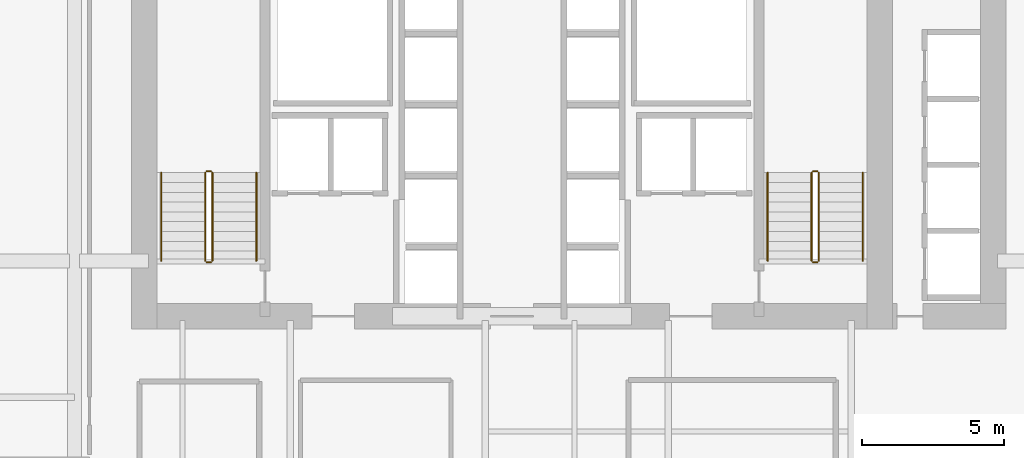
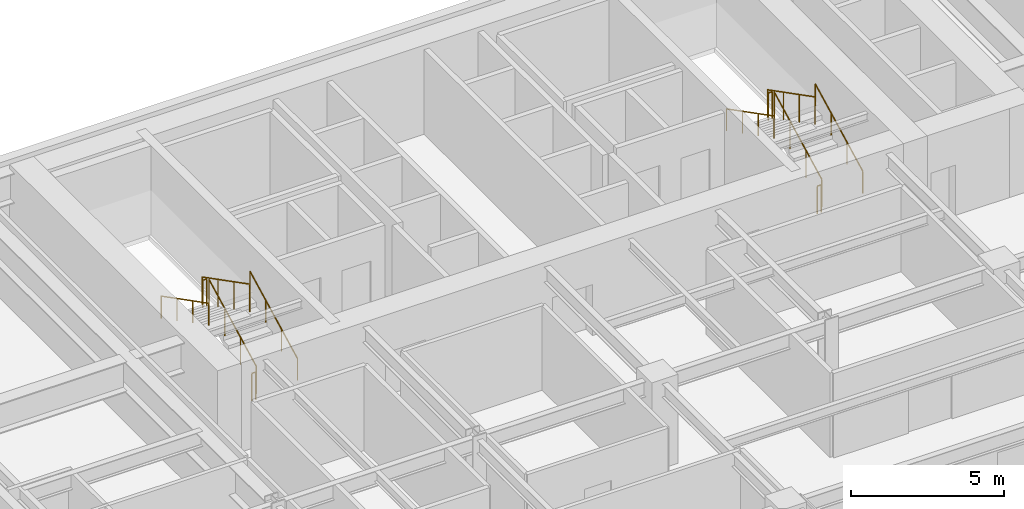
# One storey, part 17 of 17: 12 railings.
"""IFC4 building model written with IfcOpenShell, lengths in metres."""

from ifc_helpers import new_model, si_unit, direction, frame, origin, origin_2d, place, context, subcontext, project, spatial, circle, extrude, material, type_object, element, save


model = new_model("IFC4")

# Units and contexts
model_context = context("Model", 3, precision=1e-05, world=origin(), true_north=direction((0.0, 1.0)))
body_context = subcontext(model_context, "Body", "Model", "MODEL_VIEW")
ifc_project = project(units=[si_unit("LENGTHUNIT", "METRE"), si_unit("AREAUNIT", "SQUARE_METRE"), si_unit("VOLUMEUNIT", "CUBIC_METRE"), si_unit("PLANEANGLEUNIT", "RADIAN"), si_unit("MASSUNIT", "GRAM", prefix="KILO")], contexts=[model_context])

# Site, building, storey
site_placement = place(None, origin())
site = spatial("IfcSite", under=ifc_project, at=site_placement, CompositionType="ELEMENT")
building_placement = place(site_placement, origin())
building = spatial("IfcBuilding", under=site, at=building_placement, Name="Tolvann Quenvar Hotel", CompositionType="ELEMENT")
storey_placement = place(building_placement, frame((0.0, 0.0, 42.64990234375)))
storey = spatial("IfcBuildingStorey", under=building, at=storey_placement, Name="L09", CompositionType="ELEMENT", Elevation=42.64990234375)

# Railings
ifc_material = material(Name="Brushed 316 stainless steel balustrade and handrail", Category="steel")
railing_type_1 = type_object("IfcRailingType", Name="GUARDRAIL", PredefinedType="GUARDRAIL", material=ifc_material)
railing_1_placement = place(storey_placement, frame((12.449951171875, 34.0, 0.177490234375)))
element("IfcRailing", 1, at=railing_1_placement, inside=storey, type_object=railing_type_1, Name="L09 ST-C1 stair guard 1", PredefinedType="GUARDRAIL", context=body_context, shape_type="SweptSolid", body=[
    extrude(circle(Radius=0.02392578125, at=origin_2d()), frame((0.0, 0.0, 1.09619140625), z_axis=(0.0, 0.88919353882, 0.457531256332), x_axis=(-1.0, 0.0, 0.0)), (0.0, 0.0, 1.0), 3.491943359375),
    extrude(circle(Radius=0.02099609375, at=origin_2d()), origin(), (0.0, 0.0, 1.0), 1.072021484375),
    extrude(circle(Radius=0.02099609375, at=origin_2d()), frame((0.0, 1.034912109375, 0.532470703125)), (0.0, 0.0, 1.0), 1.072021484375),
    extrude(circle(Radius=0.02099609375, at=origin_2d()), frame((0.0, 2.070068359375, 1.065185546875)), (0.0, 0.0, 1.0), 1.072021484375),
    extrude(circle(Radius=0.02099609375, at=origin_2d()), frame((0.0, 3.10498046875, 1.59765625)), (0.0, 0.0, 1.0), 1.072021484375),
])
railing_2_placement = place(storey_placement, frame((12.39990234375, 37.155029296875, 1.775146484375)))
element("IfcRailing", 2, at=railing_2_placement, inside=storey, type_object=railing_type_1, Name="L09 ST-C1 stair guard 2", PredefinedType="GUARDRAIL", context=body_context, shape_type="SweptSolid", body=[
    extrude(circle(Radius=0.02392578125, at=origin_2d()), frame((0.0, 0.0, 1.09619140625), z_axis=(-1.0, 0.0, 0.0), x_axis=(0.0, -1.0, 0.0)), (0.0, 0.0, 1.0), 0.14990234375),
    extrude(circle(Radius=0.02099609375, at=origin_2d()), origin(), (0.0, 0.0, 1.0), 1.072021484375),
    extrude(circle(Radius=0.02099609375, at=origin_2d()), frame((-0.14990234375, 0.0, 0.0)), (0.0, 0.0, 1.0), 1.072021484375),
])
railing_3_placement = place(storey_placement, frame((12.199951171875, 37.10498046875, 1.95263671875)))
element("IfcRailing", 3, at=railing_3_placement, inside=storey, type_object=railing_type_1, Name="L09 ST-C1 stair guard 3", PredefinedType="GUARDRAIL", context=body_context, shape_type="SweptSolid", body=[
    extrude(circle(Radius=0.02392578125, at=origin_2d()), frame((0.0, 0.0, 1.09619140625), z_axis=(0.0, -0.889221982265, 0.45747597342), x_axis=(1.0, 0.0, 0.0)), (0.0, 0.0, 1.0), 3.49169921875),
    extrude(circle(Radius=0.02099609375, at=origin_2d()), origin(), (0.0, 0.0, 1.0), 1.072021484375),
    extrude(circle(Radius=0.02099609375, at=origin_2d()), frame((0.0, -1.034912109375, 0.532470703125)), (0.0, 0.0, 1.0), 1.072021484375),
    extrude(circle(Radius=0.02099609375, at=origin_2d()), frame((0.0, -2.070068359375, 1.06494140625)), (0.0, 0.0, 1.0), 1.072021484375),
    extrude(circle(Radius=0.02099609375, at=origin_2d()), frame((0.0, -3.10498046875, 1.597412109375)), (0.0, 0.0, 1.0), 1.072021484375),
])
railing_4_placement = place(storey_placement, frame((12.39990234375, 33.949951171875, 0.0)))
element("IfcRailing", 4, at=railing_4_placement, inside=storey, type_object=railing_type_1, Name="L09 ST-C1 stair guard 4", PredefinedType="GUARDRAIL", context=body_context, shape_type="SweptSolid", body=[
    extrude(circle(Radius=0.02392578125, at=origin_2d()), frame((0.0, 0.0, 1.09619140625), z_axis=(-1.0, 0.0, 0.0), x_axis=(0.0, -1.0, 0.0)), (0.0, 0.0, 1.0), 0.14990234375),
    extrude(circle(Radius=0.02099609375, at=origin_2d()), origin(), (0.0, 0.0, 1.0), 1.072021484375),
    extrude(circle(Radius=0.02099609375, at=origin_2d()), frame((-0.14990234375, 0.0, 0.0)), (0.0, 0.0, 1.0), 1.072021484375),
])
railing_5_placement = place(storey_placement, frame((33.800048828125, 34.0, 0.177490234375)))
element("IfcRailing", 5, at=railing_5_placement, inside=storey, type_object=railing_type_1, Name="L09 ST-C2 stair guard 1", PredefinedType="GUARDRAIL", context=body_context, shape_type="SweptSolid", body=[
    extrude(circle(Radius=0.02392578125, at=origin_2d()), frame((0.0, 0.0, 1.09619140625), z_axis=(0.0, 0.88919353882, 0.457531256332), x_axis=(-1.0, 0.0, 0.0)), (0.0, 0.0, 1.0), 3.491943359375),
    extrude(circle(Radius=0.02099609375, at=origin_2d()), origin(), (0.0, 0.0, 1.0), 1.072021484375),
    extrude(circle(Radius=0.02099609375, at=origin_2d()), frame((0.0, 1.034912109375, 0.532470703125)), (0.0, 0.0, 1.0), 1.072021484375),
    extrude(circle(Radius=0.02099609375, at=origin_2d()), frame((0.0, 2.070068359375, 1.065185546875)), (0.0, 0.0, 1.0), 1.072021484375),
    extrude(circle(Radius=0.02099609375, at=origin_2d()), frame((0.0, 3.10498046875, 1.59765625)), (0.0, 0.0, 1.0), 1.072021484375),
])
railing_6_placement = place(storey_placement, frame((33.75, 37.155029296875, 1.775146484375)))
element("IfcRailing", 6, at=railing_6_placement, inside=storey, type_object=railing_type_1, Name="L09 ST-C2 stair guard 2", PredefinedType="GUARDRAIL", context=body_context, shape_type="SweptSolid", body=[
    extrude(circle(Radius=0.02392578125, at=origin_2d()), frame((0.0, 0.0, 1.09619140625), z_axis=(-1.0, 0.0, 0.0), x_axis=(0.0, -1.0, 0.0)), (0.0, 0.0, 1.0), 0.14990234375),
    extrude(circle(Radius=0.02099609375, at=origin_2d()), origin(), (0.0, 0.0, 1.0), 1.072021484375),
    extrude(circle(Radius=0.02099609375, at=origin_2d()), frame((-0.14990234375, 0.0, 0.0)), (0.0, 0.0, 1.0), 1.072021484375),
])
railing_7_placement = place(storey_placement, frame((33.550048828125, 37.10498046875, 1.95263671875)))
element("IfcRailing", 7, at=railing_7_placement, inside=storey, type_object=railing_type_1, Name="L09 ST-C2 stair guard 3", PredefinedType="GUARDRAIL", context=body_context, shape_type="SweptSolid", body=[
    extrude(circle(Radius=0.02392578125, at=origin_2d()), frame((0.0, 0.0, 1.09619140625), z_axis=(0.0, -0.889221982265, 0.45747597342), x_axis=(1.0, 0.0, 0.0)), (0.0, 0.0, 1.0), 3.49169921875),
    extrude(circle(Radius=0.02099609375, at=origin_2d()), origin(), (0.0, 0.0, 1.0), 1.072021484375),
    extrude(circle(Radius=0.02099609375, at=origin_2d()), frame((0.0, -1.034912109375, 0.532470703125)), (0.0, 0.0, 1.0), 1.072021484375),
    extrude(circle(Radius=0.02099609375, at=origin_2d()), frame((0.0, -2.070068359375, 1.06494140625)), (0.0, 0.0, 1.0), 1.072021484375),
    extrude(circle(Radius=0.02099609375, at=origin_2d()), frame((0.0, -3.10498046875, 1.597412109375)), (0.0, 0.0, 1.0), 1.072021484375),
])
railing_8_placement = place(storey_placement, frame((33.75, 33.949951171875, 0.0)))
element("IfcRailing", 8, at=railing_8_placement, inside=storey, type_object=railing_type_1, Name="L09 ST-C2 stair guard 4", PredefinedType="GUARDRAIL", context=body_context, shape_type="SweptSolid", body=[
    extrude(circle(Radius=0.02392578125, at=origin_2d()), frame((0.0, 0.0, 1.09619140625), z_axis=(-1.0, 0.0, 0.0), x_axis=(0.0, -1.0, 0.0)), (0.0, 0.0, 1.0), 0.14990234375),
    extrude(circle(Radius=0.02099609375, at=origin_2d()), origin(), (0.0, 0.0, 1.0), 1.072021484375),
    extrude(circle(Radius=0.02099609375, at=origin_2d()), frame((-0.14990234375, 0.0, 0.0)), (0.0, 0.0, 1.0), 1.072021484375),
])
railing_type_2 = type_object("IfcRailingType", Name="HANDRAIL", PredefinedType="HANDRAIL", material=ifc_material)
railing_9_placement = place(storey_placement, frame((14.0, 34.0, 0.177490234375)))
element("IfcRailing", 9, at=railing_9_placement, inside=storey, type_object=railing_type_2, Name="L09 ST-C1 stair handrail 1", PredefinedType="HANDRAIL", context=body_context, shape_type="SweptSolid", body=[
    extrude(circle(Radius=0.02392578125, at=origin_2d()), frame((0.0, 0.0, 0.8759765625), z_axis=(0.0, 0.88919353882, 0.457531256332), x_axis=(-1.0, 0.0, 0.0)), (0.0, 0.0, 1.0), 3.491943359375),
    extrude(circle(Radius=0.02099609375, at=origin_2d()), origin(), (0.0, 0.0, 1.0), 0.851806640625),
    extrude(circle(Radius=0.02099609375, at=origin_2d()), frame((0.0, 1.034912109375, 0.532470703125)), (0.0, 0.0, 1.0), 0.851806640625),
    extrude(circle(Radius=0.02099609375, at=origin_2d()), frame((0.0, 2.070068359375, 1.065185546875)), (0.0, 0.0, 1.0), 0.851806640625),
    extrude(circle(Radius=0.02099609375, at=origin_2d()), frame((0.0, 3.10498046875, 1.59765625)), (0.0, 0.0, 1.0), 0.851806640625),
])
railing_10_placement = place(storey_placement, frame((10.64990234375, 37.10498046875, 1.95263671875)))
element("IfcRailing", 10, at=railing_10_placement, inside=storey, type_object=railing_type_2, Name="L09 ST-C1 stair handrail 2", PredefinedType="HANDRAIL", context=body_context, shape_type="SweptSolid", body=[
    extrude(circle(Radius=0.02392578125, at=origin_2d()), frame((0.0, 0.0, 0.8759765625), z_axis=(0.0, -0.889221982265, 0.45747597342), x_axis=(1.0, 0.0, 0.0)), (0.0, 0.0, 1.0), 3.49169921875),
    extrude(circle(Radius=0.02099609375, at=origin_2d()), origin(), (0.0, 0.0, 1.0), 0.851806640625),
    extrude(circle(Radius=0.02099609375, at=origin_2d()), frame((0.0, -1.034912109375, 0.532470703125)), (0.0, 0.0, 1.0), 0.851806640625),
    extrude(circle(Radius=0.02099609375, at=origin_2d()), frame((0.0, -2.070068359375, 1.06494140625)), (0.0, 0.0, 1.0), 0.851806640625),
    extrude(circle(Radius=0.02099609375, at=origin_2d()), frame((0.0, -3.10498046875, 1.597412109375)), (0.0, 0.0, 1.0), 0.851806640625),
])
railing_11_placement = place(storey_placement, frame((35.35009765625, 34.0, 0.177490234375)))
element("IfcRailing", 11, at=railing_11_placement, inside=storey, type_object=railing_type_2, Name="L09 ST-C2 stair handrail 1", PredefinedType="HANDRAIL", context=body_context, shape_type="SweptSolid", body=[
    extrude(circle(Radius=0.02392578125, at=origin_2d()), frame((0.0, 0.0, 0.8759765625), z_axis=(0.0, 0.88919353882, 0.457531256332), x_axis=(-1.0, 0.0, 0.0)), (0.0, 0.0, 1.0), 3.491943359375),
    extrude(circle(Radius=0.02099609375, at=origin_2d()), origin(), (0.0, 0.0, 1.0), 0.851806640625),
    extrude(circle(Radius=0.02099609375, at=origin_2d()), frame((0.0, 1.034912109375, 0.532470703125)), (0.0, 0.0, 1.0), 0.851806640625),
    extrude(circle(Radius=0.02099609375, at=origin_2d()), frame((0.0, 2.070068359375, 1.065185546875)), (0.0, 0.0, 1.0), 0.851806640625),
    extrude(circle(Radius=0.02099609375, at=origin_2d()), frame((0.0, 3.10498046875, 1.59765625)), (0.0, 0.0, 1.0), 0.851806640625),
])
railing_12_placement = place(storey_placement, frame((32.0, 37.10498046875, 1.95263671875)))
element("IfcRailing", 12, at=railing_12_placement, inside=storey, type_object=railing_type_2, Name="L09 ST-C2 stair handrail 2", PredefinedType="HANDRAIL", context=body_context, shape_type="SweptSolid", body=[
    extrude(circle(Radius=0.02392578125, at=origin_2d()), frame((0.0, 0.0, 0.8759765625), z_axis=(0.0, -0.889221982265, 0.45747597342), x_axis=(1.0, 0.0, 0.0)), (0.0, 0.0, 1.0), 3.49169921875),
    extrude(circle(Radius=0.02099609375, at=origin_2d()), origin(), (0.0, 0.0, 1.0), 0.851806640625),
    extrude(circle(Radius=0.02099609375, at=origin_2d()), frame((0.0, -1.034912109375, 0.532470703125)), (0.0, 0.0, 1.0), 0.851806640625),
    extrude(circle(Radius=0.02099609375, at=origin_2d()), frame((0.0, -2.070068359375, 1.06494140625)), (0.0, 0.0, 1.0), 0.851806640625),
    extrude(circle(Radius=0.02099609375, at=origin_2d()), frame((0.0, -3.10498046875, 1.597412109375)), (0.0, 0.0, 1.0), 0.851806640625),
])

save(model, "model.ifc")
